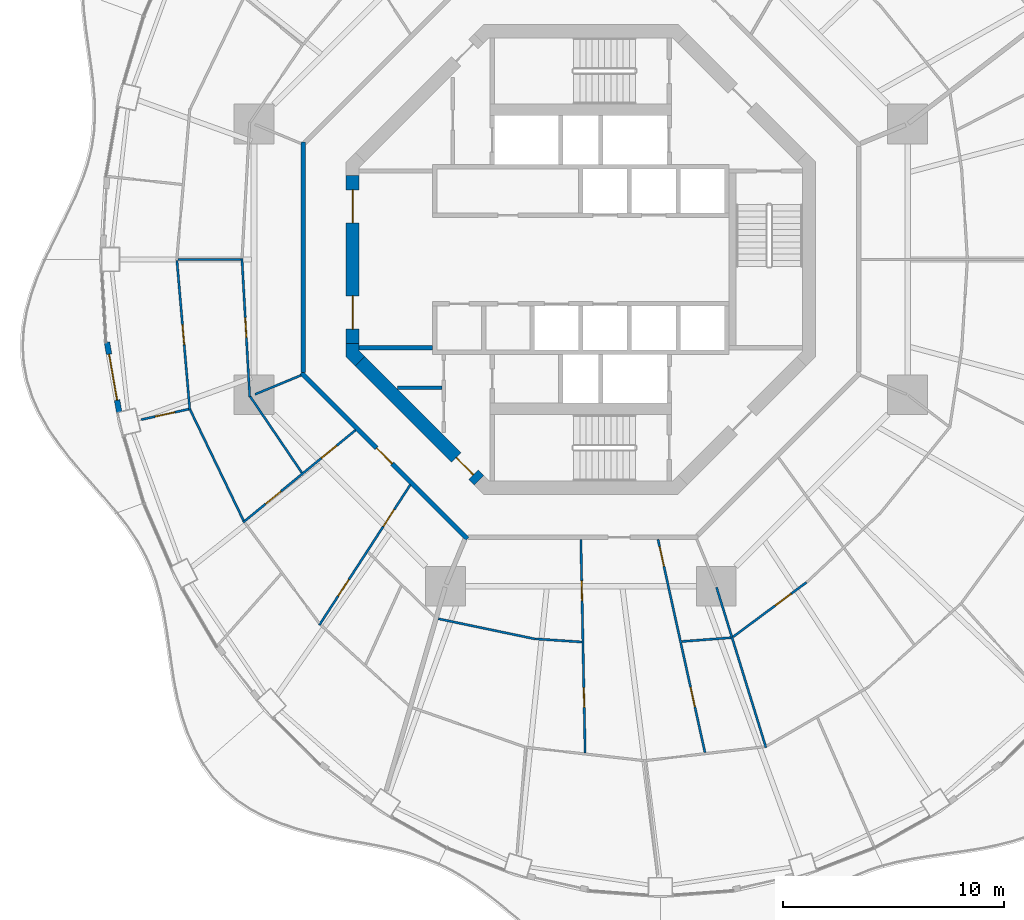
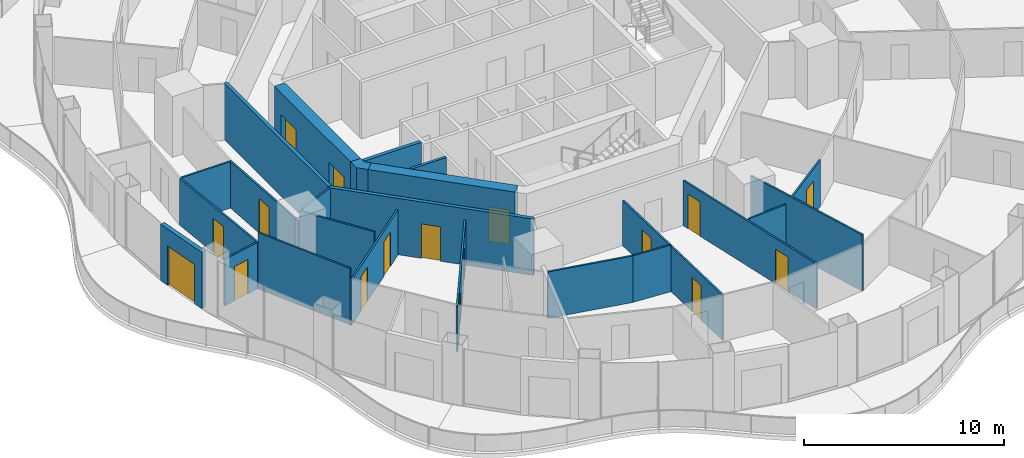
# One storey, part 11 of 19: 24 walls, 17 doors, 17 openings.
"""IFC4 building model written with IfcOpenShell, lengths in metres."""

from ifc_helpers import new_model, si_unit, direction, frame, frame_2d, origin, place, context, subcontext, project, spatial, polyline, rectangle, outline, extrude, material, layer, layer_set, type_object, element, fill, save


model = new_model("IFC4")

# Units and contexts
model_context = context("Model", 3, precision=1e-05, world=origin(), true_north=direction((0.0, 1.0)))
body_context = subcontext(model_context, "Body", "Model", "MODEL_VIEW")
ifc_project = project(units=[si_unit("LENGTHUNIT", "METRE"), si_unit("AREAUNIT", "SQUARE_METRE"), si_unit("VOLUMEUNIT", "CUBIC_METRE"), si_unit("PLANEANGLEUNIT", "RADIAN"), si_unit("MASSUNIT", "GRAM", prefix="KILO")], contexts=[model_context])

# Site, building, storey
site_placement = place(None, origin())
site = spatial("IfcSite", under=ifc_project, at=site_placement, CompositionType="ELEMENT")
building_placement = place(site_placement, origin())
building = spatial("IfcBuilding", under=site, at=building_placement, Name="Nagisa Residences", CompositionType="ELEMENT")
storey_placement = place(building_placement, frame((0.0, 0.0, 199.199951171875)))
storey = spatial("IfcBuildingStorey", under=building, at=storey_placement, Name="L50", CompositionType="ELEMENT", Elevation=199.199951171875)

# Wall
ifc_material_1 = material(Name="Gypsum board on steel studs", Category="steel")
ifc_layer_1 = layer(ifc_material_1, 0.199951171875)
ifc_layer_set_1 = layer_set([ifc_layer_1], Name="Apartment entry wall EI60 200")
wall_type_1 = type_object("IfcWallType", Name="Apartment entry wall EI60 200", PredefinedType="PARTITIONING", material=ifc_layer_set_1)
wall_1_placement = place(storey_placement, frame((-12.564697265625, 5.304443359375, 0.0), z_axis=(0.0, 0.0, 1.0), x_axis=(0.0, -1.0, 0.0)))
element("IfcWall", 1, at=wall_1_placement, inside=storey, type_object=wall_type_1, Name="wall:L50:u10", PredefinedType="PARTITIONING", context=body_context, shape_type="SweptSolid", body=[
    extrude(rectangle(XDim=10.408935546875, YDim=0.199951171875, at=frame_2d((5.20458984375, 0.0))), origin(), (0.0, 0.0, 1.0), 3.43994140625),
])

# Wall, opening, door
wall_2_placement = place(storey_placement, frame((-12.635498046875, -5.1337890625, 0.0), z_axis=(0.0, 0.0, 1.0), x_axis=(0.707106781187, -0.707106781187, 0.0)))
wall_2 = element("IfcWall", 2, at=wall_2_placement, inside=storey, type_object=wall_type_1, Name="wall:L50:u11", PredefinedType="PARTITIONING", context=body_context, shape_type="SweptSolid", body=[
    extrude(rectangle(XDim=10.609130859375, YDim=0.199951171875, at=frame_2d((5.3046875, 0.0))), origin(), (0.0, 0.0, 1.0), 3.43994140625),
])
opening_1_placement = place(wall_2_placement, frame((4.804443359375, 0.0, 0.0)))
opening_1 = element("IfcOpeningElement", 3, at=opening_1_placement, cuts=wall_2, Name="Opening L50-U34", PredefinedType="OPENING", context=body_context, shape_type="SweptSolid", body=[
    extrude(rectangle(XDim=1.0, YDim=2.10009765625, at=frame_2d((0.5, 1.050048828125))), frame((0.0, 0.10986328125, 0.0), z_axis=(0.0, -1.0, 0.0), x_axis=(1.0, 0.0, 0.0)), (0.0, 0.0, 1.0), 0.219970703125),
])
ifc_material_2 = material(Name="Timber fire door set", Category="wood")
door_type_1 = type_object("IfcDoorType", Name="Apartment entry door FD30S 1000x2100", OperationType="NOTDEFINED", PredefinedType="DOOR", material=ifc_material_2)
door_1_placement = place(opening_1_placement, frame((1.0, 0.0, 0.0), x_axis=(-1.0, 0.0, 0.0)))
door_1 = element("IfcDoor", 4, at=door_1_placement, inside=storey, type_object=door_type_1, Name="Entry door, Apartment 50C", OperationType="SINGLE_SWING_LEFT", OverallHeight=2.10009765625, OverallWidth=1.0, PredefinedType="DOOR", context=body_context, shape_type="SweptSolid", body=[
    extrude(rectangle(XDim=1.0, YDim=2.10009765625, at=frame_2d((0.5, 1.050048828125))), frame((0.0, 0.02490234375, 0.0), z_axis=(0.0, -1.0, 0.0), x_axis=(1.0, 0.0, 0.0)), (0.0, 0.0, 1.0), 0.050048828125),
])
fill(opening_1, door_1)

# Wall
ifc_material_3 = material(Name="Gypsum board on steel studs", Category="steel")
ifc_layer_2 = layer(ifc_material_3, 0.10009765625)
ifc_layer_set_2 = layer_set([ifc_layer_2], Name="Apartment partition 100")
wall_type_2 = type_object("IfcWallType", Name="Apartment partition 100", PredefinedType="PARTITIONING", material=ifc_layer_set_2)
wall_3_placement = place(storey_placement, frame((-15.3779296875, 0.0, 0.0), z_axis=(0.0, 0.0, 1.0), x_axis=(-1.0, 0.0, 0.0)))
element("IfcWall", 5, at=wall_3_placement, inside=storey, type_object=wall_type_2, Name="wall:L50:u52", PredefinedType="PARTITIONING", context=body_context, shape_type="SweptSolid", body=[
    extrude(rectangle(XDim=2.84716796875, YDim=0.10009765625, at=frame_2d((1.423583984375, 0.0))), origin(), (0.0, 0.0, 1.0), 2.837158203125),
])

# Wall, opening, door
wall_4_placement = place(storey_placement, frame((-15.33056640625, 0.0498046875, 0.0), z_axis=(0.0, 0.0, 1.0), x_axis=(0.056325291522, -0.998412470643, 0.0)))
wall_4 = element("IfcWall", 6, at=wall_4_placement, inside=storey, type_object=wall_type_2, Name="wall:L50:u53", PredefinedType="PARTITIONING", context=body_context, shape_type="SweptSolid", body=[
    extrude(rectangle(XDim=6.2763671875, YDim=0.10009765625, at=frame_2d((3.13818359375, 0.0))), origin(), (0.0, 0.0, 1.0), 2.837158203125),
])
opening_2_placement = place(wall_4_placement, frame((2.688232421875, 0.0, 0.0)))
opening_2 = element("IfcOpeningElement", 7, at=opening_2_placement, cuts=wall_4, Name="Opening L50-U42", PredefinedType="OPENING", context=body_context, shape_type="SweptSolid", body=[
    extrude(rectangle(XDim=0.89990234375, YDim=2.10009765625, at=frame_2d((0.449951171875, 1.050048828125))), frame((0.0, 0.06005859375, 0.0), z_axis=(0.0, -1.0, 0.0), x_axis=(1.0, 0.0, 0.0)), (0.0, 0.0, 1.0), 0.1201171875),
])
ifc_material_4 = material(Name="Timber door set", Category="wood")
door_type_2 = type_object("IfcDoorType", Name="Apartment door 900x2100", OperationType="NOTDEFINED", PredefinedType="DOOR", material=ifc_material_4)
door_2_placement = place(opening_2_placement, origin())
door_2 = element("IfcDoor", 8, at=door_2_placement, inside=storey, type_object=door_type_2, Name="Door to laundry, Apartment 50C", OperationType="SINGLE_SWING_RIGHT", OverallHeight=2.10009765625, OverallWidth=0.89990234375, PredefinedType="DOOR", context=body_context, shape_type="SweptSolid", body=[
    extrude(rectangle(XDim=0.89990234375, YDim=2.10009765625, at=frame_2d((0.449951171875, 1.050048828125))), frame((0.0, 0.02490234375, 0.0), z_axis=(0.0, -1.0, 0.0), x_axis=(1.0, 0.0, 0.0)), (0.0, 0.0, 1.0), 0.050048828125),
])
fill(opening_2, door_2)

wall_5_placement = place(storey_placement, frame((-18.270751953125, -0.0498046875, 0.0), z_axis=(0.0, 0.0, 1.0), x_axis=(0.086018199227, -0.996293565874, 0.0)))
wall_5 = element("IfcWall", 9, at=wall_5_placement, inside=storey, type_object=wall_type_2, Name="wall:L50:u54", PredefinedType="PARTITIONING", context=body_context, shape_type="SweptSolid", body=[
    extrude(rectangle(XDim=6.7890625, YDim=0.10009765625, at=frame_2d((3.39453125, 0.0))), origin(), (0.0, 0.0, 1.0), 2.837158203125),
])
opening_3_placement = place(wall_5_placement, frame((2.919677734375, 0.0, 0.0)))
opening_3 = element("IfcOpeningElement", 10, at=opening_3_placement, cuts=wall_5, Name="Opening L50-U39", PredefinedType="OPENING", context=body_context, shape_type="SweptSolid", body=[
    extrude(rectangle(XDim=0.89990234375, YDim=2.10009765625, at=frame_2d((0.449951171875, 1.050048828125))), frame((0.0, 0.06005859375, 0.0), z_axis=(0.0, -1.0, 0.0), x_axis=(1.0, 0.0, 0.0)), (0.0, 0.0, 1.0), 0.1201171875),
])
door_3_placement = place(opening_3_placement, frame((0.89990234375, 0.0, 0.0), x_axis=(-1.0, 0.0, 0.0)))
door_3 = element("IfcDoor", 11, at=door_3_placement, inside=storey, type_object=door_type_2, Name="Door to family room, Apartment 50C", OperationType="SINGLE_SWING_RIGHT", OverallHeight=2.10009765625, OverallWidth=0.89990234375, PredefinedType="DOOR", context=body_context, shape_type="SweptSolid", body=[
    extrude(rectangle(XDim=0.89990234375, YDim=2.10009765625, at=frame_2d((0.449951171875, 1.050048828125))), frame((0.0, 0.02490234375, 0.0), z_axis=(0.0, -1.0, 0.0), x_axis=(1.0, 0.0, 0.0)), (0.0, 0.0, 1.0), 0.050048828125),
])
fill(opening_3, door_3)

# Walls
wall_6_placement = place(storey_placement, frame((-12.6572265625, -5.24267578125, 0.0), z_axis=(0.0, 0.0, 1.0), x_axis=(-0.923864733477, -0.382719158442, 0.0)))
element("IfcWall", 12, at=wall_6_placement, inside=storey, type_object=wall_type_2, Name="wall:L50:u55", PredefinedType="PARTITIONING", context=body_context, shape_type="SweptSolid", body=[
    extrude(rectangle(XDim=2.25, YDim=0.10009765625, at=frame_2d((1.125, 0.0))), origin(), (0.0, 0.0, 1.0), 3.43994140625),
])
wall_7_placement = place(storey_placement, frame((-14.951904296875, -6.2080078125, 0.0), z_axis=(0.0, 0.0, 1.0), x_axis=(0.561064907171, -0.827771810308, 0.0)))
element("IfcWall", 13, at=wall_7_placement, inside=storey, type_object=wall_type_2, Name="wall:L50:u56", PredefinedType="PARTITIONING", context=body_context, shape_type="SweptSolid", body=[
    extrude(rectangle(XDim=4.15869140625, YDim=0.10009765625, at=frame_2d((2.079345703125, 0.0))), origin(), (0.0, 0.0, 1.0), 3.43994140625),
])

# Wall, opening, door
wall_8_placement = place(storey_placement, frame((-17.73974609375, -6.774658203125, 0.0), z_axis=(0.0, 0.0, 1.0), x_axis=(-0.976574948551, -0.215177531037, 0.0)))
wall_8 = element("IfcWall", 14, at=wall_8_placement, inside=storey, type_object=wall_type_2, Name="wall:L50:u57", PredefinedType="PARTITIONING", context=body_context, shape_type="SweptSolid", body=[
    extrude(rectangle(XDim=2.19775390625, YDim=0.10009765625, at=frame_2d((1.098876953125, 0.0))), origin(), (0.0, 0.0, 1.0), 2.837158203125),
])
opening_4_placement = place(wall_8_placement, frame((0.648681640625, 0.0, 0.0)))
opening_4 = element("IfcOpeningElement", 15, at=opening_4_placement, cuts=wall_8, Name="Opening L50-U40", PredefinedType="OPENING", context=body_context, shape_type="SweptSolid", body=[
    extrude(rectangle(XDim=0.89990234375, YDim=2.10009765625, at=frame_2d((0.449951171875, 1.050048828125))), frame((0.0, 0.06005859375, 0.0), z_axis=(0.0, -1.0, 0.0), x_axis=(1.0, 0.0, 0.0)), (0.0, 0.0, 1.0), 0.1201171875),
])
door_4_placement = place(opening_4_placement, origin())
door_4 = element("IfcDoor", 16, at=door_4_placement, inside=storey, type_object=door_type_2, Name="Door to bedroom, Apartment 50C", OperationType="SINGLE_SWING_RIGHT", OverallHeight=2.10009765625, OverallWidth=0.89990234375, PredefinedType="DOOR", context=body_context, shape_type="SweptSolid", body=[
    extrude(rectangle(XDim=0.89990234375, YDim=2.10009765625, at=frame_2d((0.449951171875, 1.050048828125))), frame((0.0, 0.02490234375, 0.0), z_axis=(0.0, -1.0, 0.0), x_axis=(1.0, 0.0, 0.0)), (0.0, 0.0, 1.0), 0.050048828125),
])
fill(opening_4, door_4)

# Wall
wall_9_placement = place(storey_placement, frame((-17.669189453125, -6.80908203125, 0.0), z_axis=(0.0, 0.0, 1.0), x_axis=(0.434040130629, -0.900893536997, 0.0)))
element("IfcWall", 17, at=wall_9_placement, inside=storey, type_object=wall_type_2, Name="wall:L50:u58", PredefinedType="PARTITIONING", context=body_context, shape_type="SweptSolid", body=[
    extrude(rectangle(XDim=5.557861328125, YDim=0.10009765625, at=frame_2d((2.77880859375, 0.0))), origin(), (0.0, 0.0, 1.0), 3.43994140625),
])

# Wall, openings, doors
wall_10_placement = place(storey_placement, frame((-10.188720703125, -7.721435546875, 0.0), z_axis=(0.0, 0.0, 1.0), x_axis=(-0.773121441079, -0.634258021112, 0.0)))
wall_10 = element("IfcWall", 18, at=wall_10_placement, inside=storey, type_object=wall_type_2, Name="wall:L50:u59", PredefinedType="PARTITIONING", context=body_context, shape_type="SweptSolid", body=[
    extrude(rectangle(XDim=6.5771484375, YDim=0.10009765625, at=frame_2d((3.28857421875, 0.0))), origin(), (0.0, 0.0, 1.0), 2.756103515625),
])
opening_5_placement = place(wall_10_placement, frame((1.103515625, 0.0, 0.0)))
opening_5 = element("IfcOpeningElement", 19, at=opening_5_placement, cuts=wall_10, Name="Opening L50-U35", PredefinedType="OPENING", context=body_context, shape_type="SweptSolid", body=[
    extrude(rectangle(XDim=0.89990234375, YDim=2.10009765625, at=frame_2d((0.449951171875, 1.050048828125))), frame((0.0, 0.06005859375, 0.0), z_axis=(0.0, -1.0, 0.0), x_axis=(1.0, 0.0, 0.0)), (0.0, 0.0, 1.0), 0.1201171875),
])
opening_6_placement = place(wall_10_placement, frame((4.366943359375, 0.0, 0.0)))
opening_6 = element("IfcOpeningElement", 20, at=opening_6_placement, cuts=wall_10, Name="Opening L50-U37", PredefinedType="OPENING", context=body_context, shape_type="SweptSolid", body=[
    extrude(rectangle(XDim=0.89990234375, YDim=2.10009765625, at=frame_2d((0.449951171875, 1.050048828125))), frame((0.0, 0.06005859375, 0.0), z_axis=(0.0, -1.0, 0.0), x_axis=(1.0, 0.0, 0.0)), (0.0, 0.0, 1.0), 0.1201171875),
])
door_5_placement = place(opening_5_placement, frame((0.89990234375, 0.0, 0.0), x_axis=(-1.0, 0.0, 0.0)))
door_5 = element("IfcDoor", 21, at=door_5_placement, inside=storey, type_object=door_type_2, Name="Door to store, Apartment 50C", OperationType="SINGLE_SWING_RIGHT", OverallHeight=2.10009765625, OverallWidth=0.89990234375, PredefinedType="DOOR", context=body_context, shape_type="SweptSolid", body=[
    extrude(rectangle(XDim=0.89990234375, YDim=2.10009765625, at=frame_2d((0.449951171875, 1.050048828125))), frame((0.0, 0.02490234375, 0.0), z_axis=(0.0, -1.0, 0.0), x_axis=(1.0, 0.0, 0.0)), (0.0, 0.0, 1.0), 0.050048828125),
])
fill(opening_5, door_5)
door_6_placement = place(opening_6_placement, frame((0.89990234375, 0.0, 0.0), x_axis=(-1.0, 0.0, 0.0)))
door_6 = element("IfcDoor", 22, at=door_6_placement, inside=storey, type_object=door_type_2, Name="Door to study, Apartment 50C", OperationType="SINGLE_SWING_RIGHT", OverallHeight=2.10009765625, OverallWidth=0.89990234375, PredefinedType="DOOR", context=body_context, shape_type="SweptSolid", body=[
    extrude(rectangle(XDim=0.89990234375, YDim=2.10009765625, at=frame_2d((0.449951171875, 1.050048828125))), frame((0.0, 0.02490234375, 0.0), z_axis=(0.0, -1.0, 0.0), x_axis=(1.0, 0.0, 0.0)), (0.0, 0.0, 1.0), 0.050048828125),
])
fill(opening_6, door_6)

wall_11_placement = place(storey_placement, frame((-7.71240234375, -10.1953125, 0.0), z_axis=(0.0, 0.0, 1.0), x_axis=(-0.544179442551, -0.838968851809, 0.0)))
wall_11 = element("IfcWall", 23, at=wall_11_placement, inside=storey, type_object=wall_type_2, Name="wall:L50:u62", PredefinedType="PARTITIONING", context=body_context, shape_type="SweptSolid", body=[
    extrude(rectangle(XDim=7.56640625, YDim=0.10009765625, at=frame_2d((3.783203125, 0.0))), origin(), (0.0, 0.0, 1.0), 2.756103515625),
])
opening_7_placement = place(wall_11_placement, frame((1.3427734375, 0.0, 0.0)))
opening_7 = element("IfcOpeningElement", 24, at=opening_7_placement, cuts=wall_11, Name="Opening L50-U36", PredefinedType="OPENING", context=body_context, shape_type="SweptSolid", body=[
    extrude(rectangle(XDim=0.89990234375, YDim=2.10009765625, at=frame_2d((0.449951171875, 1.050048828125))), frame((0.0, 0.06005859375, 0.0), z_axis=(0.0, -1.0, 0.0), x_axis=(1.0, 0.0, 0.0)), (0.0, 0.0, 1.0), 0.1201171875),
])
opening_8_placement = place(wall_11_placement, frame((5.100830078125, 0.0, 0.0)))
opening_8 = element("IfcOpeningElement", 25, at=opening_8_placement, cuts=wall_11, Name="Opening L50-U38", PredefinedType="OPENING", context=body_context, shape_type="SweptSolid", body=[
    extrude(rectangle(XDim=0.89990234375, YDim=2.10009765625, at=frame_2d((0.449951171875, 1.050048828125))), frame((0.0, 0.06005859375, 0.0), z_axis=(0.0, -1.0, 0.0), x_axis=(1.0, 0.0, 0.0)), (0.0, 0.0, 1.0), 0.1201171875),
])
door_7_placement = place(opening_7_placement, origin())
door_7 = element("IfcDoor", 26, at=door_7_placement, inside=storey, type_object=door_type_2, Name="Door to family bathroom, Apartment 50C", OperationType="SINGLE_SWING_RIGHT", OverallHeight=2.10009765625, OverallWidth=0.89990234375, PredefinedType="DOOR", context=body_context, shape_type="SweptSolid", body=[
    extrude(rectangle(XDim=0.89990234375, YDim=2.10009765625, at=frame_2d((0.449951171875, 1.050048828125))), frame((0.0, 0.02490234375, 0.0), z_axis=(0.0, -1.0, 0.0), x_axis=(1.0, 0.0, 0.0)), (0.0, 0.0, 1.0), 0.050048828125),
])
fill(opening_7, door_7)
door_8_placement = place(opening_8_placement, origin())
door_8 = element("IfcDoor", 27, at=door_8_placement, inside=storey, type_object=door_type_2, Name="Door to family bathroom, Apartment 50C", OperationType="SINGLE_SWING_RIGHT", OverallHeight=2.10009765625, OverallWidth=0.89990234375, PredefinedType="DOOR", context=body_context, shape_type="SweptSolid", body=[
    extrude(rectangle(XDim=0.89990234375, YDim=2.10009765625, at=frame_2d((0.449951171875, 1.050048828125))), frame((0.0, 0.02490234375, 0.0), z_axis=(0.0, -1.0, 0.0), x_axis=(1.0, 0.0, 0.0)), (0.0, 0.0, 1.0), 0.050048828125),
])
fill(opening_8, door_8)

# Walls
wall_12_placement = place(storey_placement, frame((-6.446533203125, -16.25634765625, 0.0), z_axis=(0.0, 0.0, 1.0), x_axis=(0.978902917122, -0.20432591331, 0.0)))
element("IfcWall", 28, at=wall_12_placement, inside=storey, type_object=wall_type_2, Name="wall:L50:u66", PredefinedType="PARTITIONING", context=body_context, shape_type="SweptSolid", body=[
    extrude(rectangle(XDim=4.485595703125, YDim=0.10009765625, at=frame_2d((2.24267578125, 0.0))), origin(), (0.0, 0.0, 1.0), 2.837158203125),
])
wall_13_placement = place(storey_placement, frame((-2.0546875, -17.166015625, 0.0), z_axis=(0.0, 0.0, 1.0), x_axis=(0.997756833447, -0.06694252243, 0.0)))
element("IfcWall", 29, at=wall_13_placement, inside=storey, type_object=wall_type_2, Name="wall:L50:u68", PredefinedType="PARTITIONING", context=body_context, shape_type="SweptSolid", body=[
    extrude(rectangle(XDim=2.104248046875, YDim=0.10009765625, at=frame_2d((1.05224609375, 0.0))), origin(), (0.0, 0.0, 1.0), 2.837158203125),
])

# Wall, openings, doors
wall_14_placement = place(storey_placement, frame((0.001953125, -12.664794921875, 0.0), z_axis=(0.0, 0.0, 1.0), x_axis=(0.019992969345, -0.999800120613, 0.0)))
wall_14 = element("IfcWall", 30, at=wall_14_placement, inside=storey, type_object=wall_type_2, Name="wall:L50:u71", PredefinedType="PARTITIONING", context=body_context, shape_type="SweptSolid", body=[
    extrude(rectangle(XDim=9.6591796875, YDim=0.10009765625, at=frame_2d((4.82958984375, 0.0))), origin(), (0.0, 0.0, 1.0), 2.756103515625),
])
opening_9_placement = place(wall_14_placement, frame((1.873291015625, 0.0, 0.0)))
opening_9 = element("IfcOpeningElement", 31, at=opening_9_placement, cuts=wall_14, Name="Opening L50-U02", PredefinedType="OPENING", context=body_context, shape_type="SweptSolid", body=[
    extrude(rectangle(XDim=0.89990234375, YDim=2.10009765625, at=frame_2d((0.449951171875, 1.050048828125))), frame((0.0, 0.06005859375, 0.0), z_axis=(0.0, -1.0, 0.0), x_axis=(1.0, 0.0, 0.0)), (0.0, 0.0, 1.0), 0.1201171875),
])
opening_10_placement = place(wall_14_placement, frame((6.702880859375, 0.0, 0.0)))
opening_10 = element("IfcOpeningElement", 32, at=opening_10_placement, cuts=wall_14, Name="Opening L50-U04", PredefinedType="OPENING", context=body_context, shape_type="SweptSolid", body=[
    extrude(rectangle(XDim=0.89990234375, YDim=2.10009765625, at=frame_2d((0.449951171875, 1.050048828125))), frame((0.0, 0.06005859375, 0.0), z_axis=(0.0, -1.0, 0.0), x_axis=(1.0, 0.0, 0.0)), (0.0, 0.0, 1.0), 0.1201171875),
])
door_9_placement = place(opening_9_placement, frame((0.89990234375, 0.0, 0.0), x_axis=(-1.0, 0.0, 0.0)))
door_9 = element("IfcDoor", 33, at=door_9_placement, inside=storey, type_object=door_type_2, Name="Door to laundry, Apartment 50A", OperationType="SINGLE_SWING_LEFT", OverallHeight=2.10009765625, OverallWidth=0.89990234375, PredefinedType="DOOR", context=body_context, shape_type="SweptSolid", body=[
    extrude(rectangle(XDim=0.89990234375, YDim=2.10009765625, at=frame_2d((0.449951171875, 1.050048828125))), frame((0.0, 0.02490234375, 0.0), z_axis=(0.0, -1.0, 0.0), x_axis=(1.0, 0.0, 0.0)), (0.0, 0.0, 1.0), 0.050048828125),
])
fill(opening_9, door_9)
door_10_placement = place(opening_10_placement, frame((0.89990234375, 0.0, 0.0), x_axis=(-1.0, 0.0, 0.0)))
door_10 = element("IfcDoor", 34, at=door_10_placement, inside=storey, type_object=door_type_2, Name="Door to dining room, Apartment 50A", OperationType="SINGLE_SWING_LEFT", OverallHeight=2.10009765625, OverallWidth=0.89990234375, PredefinedType="DOOR", context=body_context, shape_type="SweptSolid", body=[
    extrude(rectangle(XDim=0.89990234375, YDim=2.10009765625, at=frame_2d((0.449951171875, 1.050048828125))), frame((0.0, 0.02490234375, 0.0), z_axis=(0.0, -1.0, 0.0), x_axis=(1.0, 0.0, 0.0)), (0.0, 0.0, 1.0), 0.050048828125),
])
fill(opening_10, door_10)

wall_15_placement = place(storey_placement, frame((3.4912109375, -12.662353515625, 0.0), z_axis=(0.0, 0.0, 1.0), x_axis=(0.215082442833, -0.976595895335, 0.0)))
wall_15 = element("IfcWall", 35, at=wall_15_placement, inside=storey, type_object=wall_type_2, Name="wall:L50:u74", PredefinedType="PARTITIONING", context=body_context, shape_type="SweptSolid", body=[
    extrude(rectangle(XDim=9.877685546875, YDim=0.10009765625, at=frame_2d((4.93896484375, 0.0))), origin(), (0.0, 0.0, 1.0), 2.756103515625),
])
opening_11_placement = place(wall_15_placement, frame((0.35009765625, 0.0, 0.0)))
opening_11 = element("IfcOpeningElement", 36, at=opening_11_placement, cuts=wall_15, Name="Opening L50-U03", PredefinedType="OPENING", context=body_context, shape_type="SweptSolid", body=[
    extrude(rectangle(XDim=0.89990234375, YDim=2.10009765625, at=frame_2d((0.449951171875, 1.050048828125))), frame((0.0, 0.06005859375, 0.0), z_axis=(0.0, -1.0, 0.0), x_axis=(1.0, 0.0, 0.0)), (0.0, 0.0, 1.0), 0.1201171875),
])
opening_12_placement = place(wall_15_placement, frame((6.861083984375, 0.0, 0.0)))
opening_12 = element("IfcOpeningElement", 37, at=opening_12_placement, cuts=wall_15, Name="Opening L50-U05", PredefinedType="OPENING", context=body_context, shape_type="SweptSolid", body=[
    extrude(rectangle(XDim=0.89990234375, YDim=2.10009765625, at=frame_2d((0.449951171875, 1.050048828125))), frame((0.0, 0.06005859375, 0.0), z_axis=(0.0, -1.0, 0.0), x_axis=(1.0, 0.0, 0.0)), (0.0, 0.0, 1.0), 0.1201171875),
])
door_11_placement = place(opening_11_placement, origin())
door_11 = element("IfcDoor", 38, at=door_11_placement, inside=storey, type_object=door_type_2, Name="Door to family bathroom, Apartment 50A", OperationType="SINGLE_SWING_LEFT", OverallHeight=2.10009765625, OverallWidth=0.89990234375, PredefinedType="DOOR", context=body_context, shape_type="SweptSolid", body=[
    extrude(rectangle(XDim=0.89990234375, YDim=2.10009765625, at=frame_2d((0.449951171875, 1.050048828125))), frame((0.0, 0.02490234375, 0.0), z_axis=(0.0, -1.0, 0.0), x_axis=(1.0, 0.0, 0.0)), (0.0, 0.0, 1.0), 0.050048828125),
])
fill(opening_11, door_11)
door_12_placement = place(opening_12_placement, origin())
door_12 = element("IfcDoor", 39, at=door_12_placement, inside=storey, type_object=door_type_2, Name="Door to family bathroom, Apartment 50A", OperationType="SINGLE_SWING_LEFT", OverallHeight=2.10009765625, OverallWidth=0.89990234375, PredefinedType="DOOR", context=body_context, shape_type="SweptSolid", body=[
    extrude(rectangle(XDim=0.89990234375, YDim=2.10009765625, at=frame_2d((0.449951171875, 1.050048828125))), frame((0.0, 0.02490234375, 0.0), z_axis=(0.0, -1.0, 0.0), x_axis=(1.0, 0.0, 0.0)), (0.0, 0.0, 1.0), 0.050048828125),
])
fill(opening_12, door_12)

# Walls
wall_16_placement = place(storey_placement, frame((4.567626953125, -17.28369140625, 0.0), z_axis=(0.0, 0.0, 1.0), x_axis=(0.997076339393, 0.076411867029, 0.0)))
element("IfcWall", 40, at=wall_16_placement, inside=storey, type_object=wall_type_2, Name="wall:L50:u75", PredefinedType="PARTITIONING", context=body_context, shape_type="SweptSolid", body=[
    extrude(rectangle(XDim=2.230224609375, YDim=0.10009765625, at=frame_2d((1.115234375, 0.0))), origin(), (0.0, 0.0, 1.0), 2.837158203125),
])
wall_17_placement = place(storey_placement, frame((6.1376953125, -14.829833984375, 0.0), z_axis=(0.0, 0.0, 1.0), x_axis=(0.294822274121, -0.955552105687, 0.0)))
element("IfcWall", 41, at=wall_17_placement, inside=storey, type_object=wall_type_2, Name="wall:L50:u77", PredefinedType="PARTITIONING", context=body_context, shape_type="SweptSolid", body=[
    extrude(rectangle(XDim=7.593505859375, YDim=0.10009765625, at=frame_2d((3.796875, 0.0))), origin(), (0.0, 0.0, 1.0), 3.43994140625),
])

# Wall, opening, door
wall_18_placement = place(storey_placement, frame((6.881103515625, -17.07958984375, 0.0), z_axis=(0.0, 0.0, 1.0), x_axis=(0.802784956441, 0.596268659005, 0.0)))
wall_18 = element("IfcWall", 42, at=wall_18_placement, inside=storey, type_object=wall_type_2, Name="wall:L50:u78", PredefinedType="PARTITIONING", context=body_context, shape_type="SweptSolid", body=[
    extrude(rectangle(XDim=4.142333984375, YDim=0.10009765625, at=frame_2d((2.0712890625, 0.0))), origin(), (0.0, 0.0, 1.0), 2.837158203125),
])
opening_13_placement = place(wall_18_placement, frame((2.3837890625, 0.0, 0.0)))
opening_13 = element("IfcOpeningElement", 43, at=opening_13_placement, cuts=wall_18, Name="Opening L50-U18", PredefinedType="OPENING", context=body_context, shape_type="SweptSolid", body=[
    extrude(rectangle(XDim=0.89990234375, YDim=2.10009765625, at=frame_2d((0.449951171875, 1.050048828125))), frame((0.0, 0.06005859375, 0.0), z_axis=(0.0, -1.0, 0.0), x_axis=(1.0, 0.0, 0.0)), (0.0, 0.0, 1.0), 0.1201171875),
])
door_13_placement = place(opening_13_placement, origin())
door_13 = element("IfcDoor", 44, at=door_13_placement, inside=storey, type_object=door_type_2, Name="Door to store, Apartment 50A", OperationType="SINGLE_SWING_RIGHT", OverallHeight=2.10009765625, OverallWidth=0.89990234375, PredefinedType="DOOR", context=body_context, shape_type="SweptSolid", body=[
    extrude(rectangle(XDim=0.89990234375, YDim=2.10009765625, at=frame_2d((0.449951171875, 1.050048828125))), frame((0.0, 0.02490234375, 0.0), z_axis=(0.0, -1.0, 0.0), x_axis=(1.0, 0.0, 0.0)), (0.0, 0.0, 1.0), 0.050048828125),
])
fill(opening_13, door_13)

ifc_material_5 = material(Name="Precast concrete C40/50", Category="concrete")
ifc_layer_3 = layer(ifc_material_5, 0.25)
ifc_layer_set_3 = layer_set([ifc_layer_3], Name="BALCONY DOOR WALL 250")
wall_type_3 = type_object("IfcWallType", Name="BALCONY DOOR WALL 250", PredefinedType="SOLIDWALL", material=ifc_layer_set_3)
wall_19_placement = place(storey_placement, frame((-20.8818359375, -6.91015625, 0.0), z_axis=(0.0, 0.0, 1.0), x_axis=(-0.172223552479, 0.98505789067, 0.0)))
wall_19 = element("IfcWall", 45, at=wall_19_placement, inside=storey, type_object=wall_type_3, Name="wall:L50:bay25", PredefinedType="SOLIDWALL", context=body_context, shape_type="SweptSolid", body=[
    extrude(rectangle(XDim=3.2109375, YDim=0.25, at=frame_2d((1.60546875, 0.0))), origin(), (0.0, 0.0, 1.0), 3.43994140625),
])
opening_14_placement = place(wall_19_placement, frame((0.555419921875, 0.0, 0.0)))
opening_14 = element("IfcOpeningElement", 46, at=opening_14_placement, cuts=wall_19, Name="Opening BD-L50-09", PredefinedType="OPENING", context=body_context, shape_type="SweptSolid", body=[
    extrude(rectangle(XDim=2.10009765625, YDim=2.39990234375, at=frame_2d((1.050048828125, 1.199951171875))), frame((0.0, 0.135009765625, 0.0), z_axis=(0.0, -1.0, 0.0), x_axis=(1.0, 0.0, 0.0)), (0.0, 0.0, 1.0), 0.27001953125),
])
ifc_material_6 = material(Name="Aluminium and clear glass", Category="aluminium")
door_type_3 = type_object("IfcDoorType", Name="BALCONY SLIDING DOOR 2100x2400", OperationType="SLIDING_TO_LEFT", PredefinedType="DOOR", material=ifc_material_6)
door_14_placement = place(opening_14_placement, origin())
door_14 = element("IfcDoor", 47, at=door_14_placement, inside=storey, type_object=door_type_3, Name="door:L50:bay25", OperationType="SLIDING_TO_LEFT", OverallHeight=2.39990234375, OverallWidth=2.10009765625, PredefinedType="DOOR", context=body_context, shape_type="SweptSolid", body=[
    extrude(rectangle(XDim=2.10009765625, YDim=2.39990234375, at=frame_2d((1.050048828125, 1.199951171875))), frame((0.0, 0.02490234375, 0.0), z_axis=(0.0, -1.0, 0.0), x_axis=(1.0, 0.0, 0.0)), (0.0, 0.0, 1.0), 0.050048828125),
])
fill(opening_14, door_14)

# Walls
ifc_material_7 = material(Name="Gypsum board on steel studs", Category="steel")
ifc_layer_4 = layer(ifc_material_7, 0.14990234375)
ifc_layer_set_4 = layer_set([ifc_layer_4], Name="Core partition 150")
wall_type_4 = type_object("IfcWallType", Name="Core partition 150", PredefinedType="PARTITIONING", material=ifc_layer_set_4)
wall_20_placement = place(storey_placement, frame((-8.301025390625, -5.800048828125, 0.0), z_axis=(0.0, 0.0, 1.0), x_axis=(1.0, 0.0, 0.0)))
element("IfcWall", 48, at=wall_20_placement, inside=storey, type_object=wall_type_4, Name="wall:L50:SWq", PredefinedType="PARTITIONING", context=body_context, shape_type="SweptSolid", body=[
    extrude(rectangle(XDim=2.026123046875, YDim=0.14990234375, at=frame_2d((1.01318359375, 0.0))), origin(), (0.0, 0.0, 1.0), 3.43994140625),
])
ifc_material_8 = material(Name="Gypsum board on steel studs", Category="steel")
ifc_layer_5 = layer(ifc_material_8, 0.199951171875)
ifc_layer_set_5 = layer_set([ifc_layer_5], Name="Core partition 200")
wall_type_5 = type_object("IfcWallType", Name="Core partition 200", PredefinedType="PARTITIONING", material=ifc_layer_set_5)
wall_21_placement = place(storey_placement, frame((-10.024658203125, -4.0, 0.0), z_axis=(0.0, 0.0, 1.0), x_axis=(1.0, 0.0, 0.0)))
element("IfcWall", 49, at=wall_21_placement, inside=storey, type_object=wall_type_5, Name="wall:L50:PSW", PredefinedType="PARTITIONING", context=body_context, shape_type="SweptSolid", body=[
    extrude(rectangle(XDim=3.32470703125, YDim=0.199951171875, at=frame_2d((1.662353515625, 0.0))), origin(), (0.0, 0.0, 1.0), 3.43994140625),
])

# Wall, openings, doors
ifc_material_9 = material(Name="Concrete C60", Category="concrete")
ifc_layer_6 = layer(ifc_material_9, 0.60009765625)
ifc_layer_set_6 = layer_set([ifc_layer_6], Name="Core shear wall 600")
wall_type_6 = type_object("IfcWallType", Name="Core shear wall 600", PredefinedType="SHEAR", material=ifc_layer_set_6)
wall_22_placement = place(storey_placement, frame((-10.32470703125, 3.80078125, 0.0), z_axis=(0.0, 0.0, 1.0), x_axis=(0.0, -1.0, 0.0)))
wall_22 = element("IfcWall", 50, at=wall_22_placement, inside=storey, type_object=wall_type_6, Name="wall:L50:core:flat4", PredefinedType="SHEAR", context=body_context, shape_type="SweptSolid", body=[
    extrude(rectangle(XDim=7.6015625, YDim=0.60009765625, at=frame_2d((3.80078125, 0.0))), origin(), (0.0, 0.0, 1.0), 3.43994140625),
])
opening_15_placement = place(wall_22_placement, frame((0.65087890625, 0.0, 0.0)))
opening_15 = element("IfcOpeningElement", 51, at=opening_15_placement, cuts=wall_22, Name="Opening L50-C20", PredefinedType="OPENING", context=body_context, shape_type="SweptSolid", body=[
    extrude(rectangle(XDim=1.5, YDim=2.10009765625, at=frame_2d((0.75, 1.050048828125))), frame((0.0, 0.31005859375, 0.0), z_axis=(0.0, -1.0, 0.0), x_axis=(1.0, 0.0, 0.0)), (0.0, 0.0, 1.0), 0.6201171875),
])
opening_16_placement = place(wall_22_placement, frame((5.450927734375, 0.0, 0.0)))
opening_16 = element("IfcOpeningElement", 52, at=opening_16_placement, cuts=wall_22, Name="Opening L50-C21", PredefinedType="OPENING", context=body_context, shape_type="SweptSolid", body=[
    extrude(rectangle(XDim=1.5, YDim=2.10009765625, at=frame_2d((0.75, 1.050048828125))), frame((0.0, 0.31005859375, 0.0), z_axis=(0.0, -1.0, 0.0), x_axis=(1.0, 0.0, 0.0)), (0.0, 0.0, 1.0), 0.6201171875),
])
ifc_material_10 = material(Name="Steel fire door", Category="steel")
door_type_4 = type_object("IfcDoorType", Name="Fire door EI60 1500x2100 double door single swing", OperationType="DOUBLE_DOOR_SINGLE_SWING", PredefinedType="DOOR", material=ifc_material_10)
door_15_placement = place(opening_15_placement, origin())
door_15 = element("IfcDoor", 53, at=door_15_placement, inside=storey, type_object=door_type_4, Name="Lift lobby door L50 1", OperationType="DOUBLE_DOOR_SINGLE_SWING", OverallHeight=2.10009765625, OverallWidth=1.5, PredefinedType="DOOR", context=body_context, shape_type="SweptSolid", body=[
    extrude(rectangle(XDim=1.5, YDim=2.10009765625, at=frame_2d((0.75, 1.050048828125))), frame((0.0, 0.02490234375, 0.0), z_axis=(0.0, -1.0, 0.0), x_axis=(1.0, 0.0, 0.0)), (0.0, 0.0, 1.0), 0.050048828125),
])
fill(opening_15, door_15)
door_16_placement = place(opening_16_placement, origin())
door_16 = element("IfcDoor", 54, at=door_16_placement, inside=storey, type_object=door_type_4, Name="Lift lobby door L50 2", OperationType="DOUBLE_DOOR_SINGLE_SWING", OverallHeight=2.10009765625, OverallWidth=1.5, PredefinedType="DOOR", context=body_context, shape_type="SweptSolid", body=[
    extrude(rectangle(XDim=1.5, YDim=2.10009765625, at=frame_2d((0.75, 1.050048828125))), frame((0.0, 0.02490234375, 0.0), z_axis=(0.0, -1.0, 0.0), x_axis=(1.0, 0.0, 0.0)), (0.0, 0.0, 1.0), 0.050048828125),
])
fill(opening_16, door_16)

# Wall, opening, door
wall_23_placement = place(storey_placement, frame((-9.98828125, -4.613037109375, 0.0), z_axis=(0.0, 0.0, 1.0), x_axis=(0.707106781187, -0.707106781187, 0.0)))
wall_23 = element("IfcWall", 55, at=wall_23_placement, inside=storey, type_object=wall_type_6, Name="wall:L50:core:flat5", PredefinedType="SHEAR", context=body_context, shape_type="SweptSolid", body=[
    extrude(rectangle(XDim=7.601806640625, YDim=0.60009765625, at=frame_2d((3.80078125, 0.0))), origin(), (0.0, 0.0, 1.0), 3.43994140625),
])
opening_17_placement = place(wall_23_placement, frame((6.15087890625, 0.0, 0.0)))
opening_17 = element("IfcOpeningElement", 56, at=opening_17_placement, cuts=wall_23, Name="Opening L50-C23", PredefinedType="OPENING", context=body_context, shape_type="SweptSolid", body=[
    extrude(rectangle(XDim=1.10009765625, YDim=2.10009765625, at=frame_2d((0.550048828125, 1.050048828125))), frame((0.0, 0.31005859375, 0.0), z_axis=(0.0, -1.0, 0.0), x_axis=(1.0, 0.0, 0.0)), (0.0, 0.0, 1.0), 0.6201171875),
])
ifc_material_11 = material(Name="Steel fire door", Category="steel")
door_type_5 = type_object("IfcDoorType", Name="Fire door EI60 1100x2100 single swing", OperationType="NOTDEFINED", PredefinedType="DOOR", material=ifc_material_11)
door_17_placement = place(opening_17_placement, origin())
door_17 = element("IfcDoor", 57, at=door_17_placement, inside=storey, type_object=door_type_5, Name="Housekeeping lobby door L50", OperationType="SINGLE_SWING_RIGHT", OverallHeight=2.10009765625, OverallWidth=1.10009765625, PredefinedType="DOOR", context=body_context, shape_type="SweptSolid", body=[
    extrude(rectangle(XDim=1.10009765625, YDim=2.10009765625, at=frame_2d((0.550048828125, 1.050048828125))), frame((0.0, 0.02490234375, 0.0), z_axis=(0.0, -1.0, 0.0), x_axis=(1.0, 0.0, 0.0)), (0.0, 0.0, 1.0), 0.050048828125),
])
fill(opening_17, door_17)

# Wall
wall_24_placement = place(storey_placement, origin())
element("IfcWall", 58, at=wall_24_placement, inside=storey, type_object=wall_type_6, Name="wall:L50:core:pier4", PredefinedType="SHEAR", context=body_context, shape_type="SweptSolid", body=[
    extrude(outline(polyline([(-10.62451171875, -3.80078125), (-10.024658203125, -3.80078125), (-10.024658203125, -4.15234375), (-9.776123046875, -4.40087890625), (-10.200439453125, -4.8251953125), (-10.62451171875, -4.40087890625), (-10.62451171875, -3.80078125)])), origin(), (0.0, 0.0, 1.0), 3.43994140625),
])

save(model, "model.ifc")
